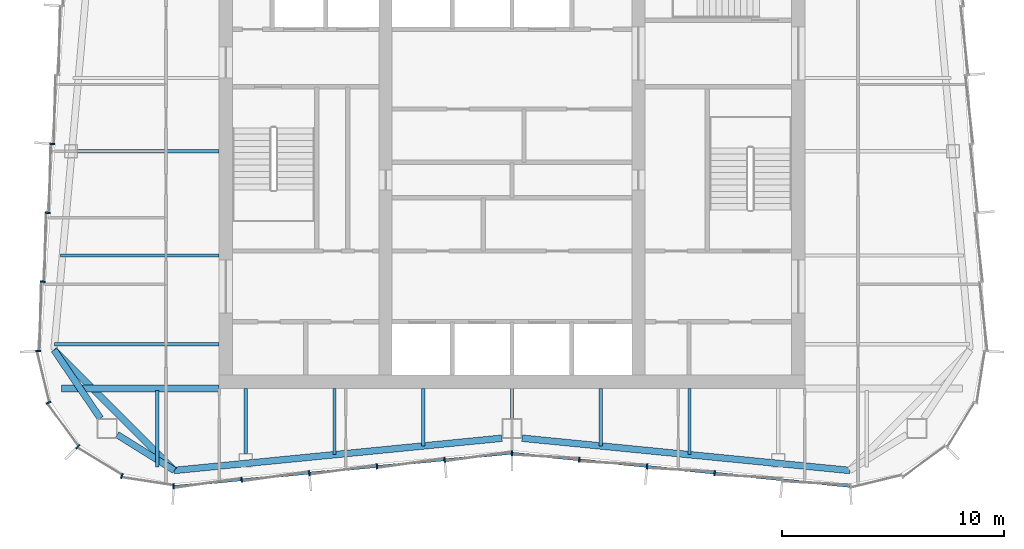
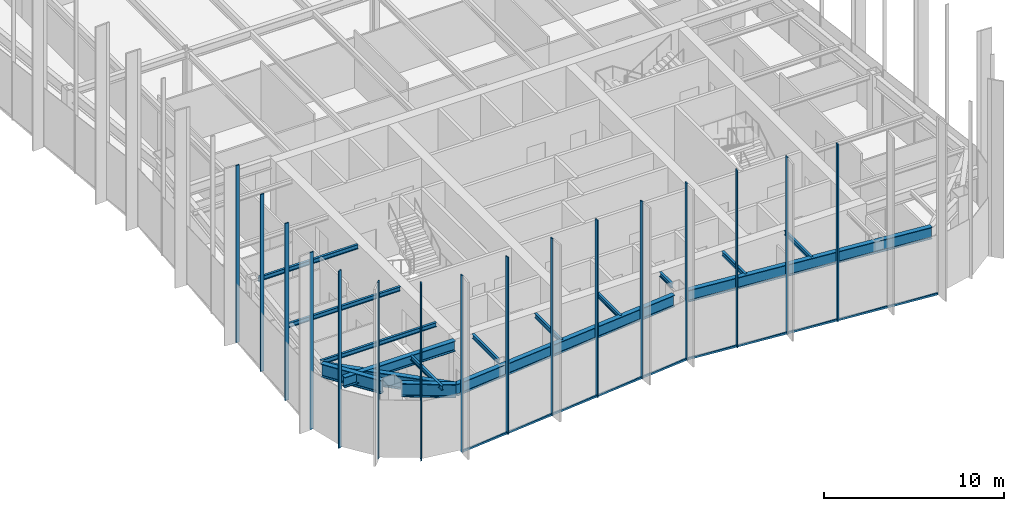
# One storey, part 3 of 13: 18 members, 16 beams, 3 elements without a shape of their own.
"""IFC4 building model written with IfcOpenShell, lengths in metres."""

import ifcopenshell
import ifcopenshell.guid

model = None  # the IFC model being written
_history = None  # IfcOwnerHistory: only IFC2X3 demands one
_inside = {}  # id of a spatial element -> (the spatial element, [elements in it])
_under = {}  # id of a project, library or spatial element -> (it, [spatial elements below it])
_declared = {}  # id of a project -> (the project, [libraries it declares])
_typed = {}  # id of a type object -> (the type object, [elements of that type])
_made_of = {}  # id of a material, layer set ... -> (it, [elements and type objects made of it])


def new_model(schema):
    """Start an empty IFC model of exactly this schema.

    Asked for "IFC4X3", IfcOpenShell would pick the latest addendum, in which some entities
    have other attributes; the version numbers below select the first issue.
    IFC2X3 requires an IfcOwnerHistory on every rooted entity: one is made here for all.
    """
    global model, _history
    if schema == "IFC4X3":
        model = ifcopenshell.file(schema_version=(4, 3, 0, 0))
    else:
        model = ifcopenshell.file(schema=schema)
    _inside.clear()
    _under.clear()
    _declared.clear()
    _typed.clear()
    _made_of.clear()
    _history = None
    if model.schema == "IFC2X3":
        org = make("IfcOrganization", Name="unknown")
        user = make(
            "IfcPersonAndOrganization",
            ThePerson=make("IfcPerson", FamilyName="unknown"),
            TheOrganization=org,
        )
        app = make(
            "IfcApplication",
            ApplicationDeveloper=org,
            Version="unknown",
            ApplicationFullName="unknown",
            ApplicationIdentifier="unknown",
        )
        _history = make(
            "IfcOwnerHistory",
            OwningUser=user,
            OwningApplication=app,
            ChangeAction="ADDED",
            CreationDate=0,
        )
    return model


def make(cls, **values):
    """One entity of the class cls with the attributes given. An attribute that is None is left unset."""
    return model.create_entity(
        cls, **{name: value for name, value in values.items() if value is not None}
    )


def rooted(cls, **values):
    """An entity with a GlobalId (a new one), such as an element, a storey or a relation."""
    return make(cls, GlobalId=ifcopenshell.guid.new(), OwnerHistory=_history, **values)


def si_unit(unit_type, name, prefix=None):
    """IfcSIUnit, for example si_unit("LENGTHUNIT", "METRE", prefix="MILLI")."""
    return make("IfcSIUnit", UnitType=unit_type, Prefix=prefix, Name=name)


def assignment(units):
    """IfcUnitAssignment: the units of a project."""
    return None if units is None else make("IfcUnitAssignment", Units=units)


def point(xyz):
    """IfcCartesianPoint."""
    return None if xyz is None else make("IfcCartesianPoint", Coordinates=xyz)


def direction(xyz):
    """IfcDirection."""
    return None if xyz is None else make("IfcDirection", DirectionRatios=xyz)


def frame(location, z_axis=None, x_axis=None):
    """IfcAxis2Placement3D, a coordinate frame: its origin and axes. An axis left out is left unset."""
    return make(
        "IfcAxis2Placement3D",
        Location=point(location),
        Axis=direction(z_axis),
        RefDirection=direction(x_axis),
    )


def frame_2d(location, x_axis=None):
    """IfcAxis2Placement2D, a coordinate frame in the plane: its origin and x axis."""
    return make(
        "IfcAxis2Placement2D", Location=point(location), RefDirection=direction(x_axis)
    )


def origin():
    """The frame at (0, 0, 0) with its axes left unset."""
    return frame((0.0, 0.0, 0.0))


def origin_2d():
    """The frame at (0, 0) in the plane with its x axis left unset."""
    return frame_2d((0.0, 0.0))


def place(relative_to, where):
    """IfcLocalPlacement: puts the frame where relative to a parent placement (None: the world)."""
    return make(
        "IfcLocalPlacement", PlacementRelTo=relative_to, RelativePlacement=where
    )


def context(
    kind, dimensions, precision=None, world=None, true_north=None, identifier=None
):
    """IfcGeometricRepresentationContext, for example the 3D "Model" context."""
    return make(
        "IfcGeometricRepresentationContext",
        ContextIdentifier=identifier,
        ContextType=kind,
        CoordinateSpaceDimension=dimensions,
        Precision=precision,
        WorldCoordinateSystem=world,
        TrueNorth=true_north,
    )


def subcontext(parent, identifier, kind, view, scale=None):
    """IfcGeometricRepresentationSubContext, for example "Body" below "Model"."""
    return make(
        "IfcGeometricRepresentationSubContext",
        ContextIdentifier=identifier,
        ContextType=kind,
        ParentContext=parent,
        TargetScale=scale,
        TargetView=view,
    )


def project(units=None, contexts=None):
    """IfcProject with its units and contexts."""
    return rooted(
        "IfcProject",
        Name="project",
        RepresentationContexts=contexts,
        UnitsInContext=assignment(units),
    )


def spatial(cls, under=None, at=None, **own):
    """A site, building, storey or space (cls), placed at a placement, below another one or the project."""
    s = rooted(cls, ObjectPlacement=at, **own)
    if under is not None:
        _under.setdefault(under.id(), (under, []))[1].append(s)
    return s


def profile(cls, at=None, kind="AREA", **sizes):
    """A parametric profile (cls). Its sizes go by their IFC names, for example OverallWidth=200.0."""
    return make(cls, ProfileType=kind, Position=at, **sizes)


def rectangle(**sizes):
    """IfcRectangleProfileDef."""
    return profile("IfcRectangleProfileDef", **sizes)


def i_section(**sizes):
    """IfcIShapeProfileDef."""
    return profile("IfcIShapeProfileDef", **sizes)


def extrude(swept, where, along, depth):
    """IfcExtrudedAreaSolid: the profile swept, set in the frame where, extruded along a direction by depth."""
    return make(
        "IfcExtrudedAreaSolid",
        SweptArea=swept,
        Position=where,
        ExtrudedDirection=direction(along),
        Depth=depth,
    )


def shape(context_of_items, identifier, shape_type, items):
    """IfcShapeRepresentation: the items that make up one representation, for example the "Body"."""
    return make(
        "IfcShapeRepresentation",
        ContextOfItems=context_of_items,
        RepresentationIdentifier=identifier,
        RepresentationType=shape_type,
        Items=items,
    )


def material(Name=None, Category=None):
    """IfcMaterial."""
    return make("IfcMaterial", Name=Name, Category=Category)


def material_profile(
    of_material, cross_section, Name=None, Category=None, Priority=None
):
    """IfcMaterialProfile: a cross section and its material."""
    return make(
        "IfcMaterialProfile",
        Name=Name,
        Material=of_material,
        Profile=cross_section,
        Priority=Priority,
        Category=Category,
    )


def profile_set(profiles, Name=None, composite=None):
    """IfcMaterialProfileSet."""
    return make(
        "IfcMaterialProfileSet",
        Name=Name,
        MaterialProfiles=profiles,
        CompositeProfile=composite,
    )


def made_of(thing, what):
    """Note that an element or type object is made of a material, layer set ...; save() writes the relation."""
    if what is not None:
        _made_of.setdefault(what.id(), (what, []))[1].append(thing)
    return thing


def type_object(cls, material=None, **own):
    """A type object (cls), such as IfcWallType, which elements share."""
    return made_of(rooted(cls, **own), material)


def element(
    cls,
    number,
    at=None,
    inside=None,
    cuts=None,
    type_object=None,
    material=None,
    context=None,
    identifier="Body",
    shape_type=None,
    held_by="IfcProductDefinitionShape",
    body=None,
    shapes=None,
    **own,
):
    """One element of the class cls, such as IfcWall. Its Tag is "e" and its number.

    at: its placement. inside: the storey or other place that contains it. cuts: it is an
    opening in that element (IfcRelVoidsElement). A single representation is given by context,
    identifier, shape_type and body (its items); several are given by shapes. held_by: the class
    of the entity that holds the representations. save() writes the other relations.
    """
    e = rooted(cls, Tag="e%d" % number, ObjectPlacement=at, **own)
    if body is not None:
        shapes = [shape(context, identifier, shape_type, body)]
    if shapes is not None:
        e.Representation = make(held_by, Representations=shapes)
    if inside is not None:
        _inside.setdefault(inside.id(), (inside, []))[1].append(e)
    if cuts is not None:
        rooted(
            "IfcRelVoidsElement", RelatingBuildingElement=cuts, RelatedOpeningElement=e
        )
    if type_object is not None:
        _typed.setdefault(type_object.id(), (type_object, []))[1].append(e)
    return made_of(e, material)


def aggregate(whole, parts):
    """IfcRelAggregates: a whole, such as a stair, and the parts it consists of."""
    return rooted("IfcRelAggregates", RelatingObject=whole, RelatedObjects=parts)


def save(model, path):
    """Write the relations noted so far, then the file.

    IfcRelAggregates (storeys below a building ...), IfcRelContainedInSpatialStructure (elements
    in a storey), IfcRelDefinesByType, IfcRelAssociatesMaterial and IfcRelDeclares: one each for
    every whole, place, type object, material and project.
    """
    for whole, parts in _under.values():
        aggregate(whole, parts)
    for where, things in _inside.values():
        rooted(
            "IfcRelContainedInSpatialStructure",
            RelatedElements=things,
            RelatingStructure=where,
        )
    for kind, things in _typed.values():
        rooted("IfcRelDefinesByType", RelatedObjects=things, RelatingType=kind)
    for what, things in _made_of.values():
        rooted("IfcRelAssociatesMaterial", RelatedObjects=things, RelatingMaterial=what)
    for by, libraries in _declared.values():
        rooted("IfcRelDeclares", RelatingContext=by, RelatedDefinitions=libraries)
    model.write(path)


model = new_model("IFC4")

# Units and contexts
model_context = context("Model", 3, precision=1e-05, world=origin(), true_north=direction((0.0, 1.0)))
body_context = subcontext(model_context, "Body", "Model", "MODEL_VIEW")
ifc_project = project(units=[si_unit("LENGTHUNIT", "METRE"), si_unit("AREAUNIT", "SQUARE_METRE"), si_unit("VOLUMEUNIT", "CUBIC_METRE"), si_unit("PLANEANGLEUNIT", "RADIAN"), si_unit("MASSUNIT", "GRAM", prefix="KILO")], contexts=[model_context])

# Site, building, storey
site_placement = place(None, origin())
site = spatial("IfcSite", under=ifc_project, at=site_placement, CompositionType="ELEMENT")
building_placement = place(site_placement, origin())
building = spatial("IfcBuilding", under=site, at=building_placement, Name="Verdant Reach Tower", CompositionType="ELEMENT")
storey_placement = place(building_placement, frame((0.0, 0.0, 318.0)))
storey = spatial("IfcBuildingStorey", under=building, at=storey_placement, Name="L73", CompositionType="ELEMENT", Elevation=318.0)

# Curtain wall, members
ifc_material_1 = material(Name="Anodised aluminium", Category="aluminium")
curtain_wall_type = type_object("IfcCurtainWallType", Name="EN-CW SYSTEM Z5", PredefinedType="NOTDEFINED", material=ifc_material_1)
curtain_wall_1_placement = place(storey_placement, origin())
curtain_wall_1 = element("IfcCurtainWall", 1, at=curtain_wall_1_placement, inside=storey, type_object=curtain_wall_type, Name="Curtain wall west, L73", PredefinedType="NOTDEFINED")
ifc_material_profile_1 = material_profile(ifc_material_1, rectangle(XDim=0.22998046875, YDim=0.070068359375, at=origin_2d()), Name="Mullion 70x230")
ifc_profile_set_1 = profile_set([ifc_material_profile_1], Name="Anodised aluminium")
member_type_1 = type_object("IfcMemberType", Name="EN-MULLION Z5", PredefinedType="MULLION", material=ifc_profile_set_1)
member_1_placement = place(storey_placement, frame((-20.721923828125, 28.829345703125, -0.35009765625), z_axis=(0.0, 0.0, 1.0), x_axis=(-0.997630328423, 0.068802091615, 0.0)))
member_1 = element("IfcMember", 2, at=member_1_placement, type_object=member_type_1, Name="Mullion west face part 2 5, L73", PredefinedType="MULLION", context=body_context, shape_type="SweptSolid", body=[
    extrude(rectangle(XDim=0.22998046875, YDim=0.070068359375, at=origin_2d()), origin(), (0.0, 0.0, 1.0), 12.0),
])
member_2_placement = place(storey_placement, frame((-20.93603515625, 25.72216796875, -0.35009765625), z_axis=(0.0, 0.0, 1.0), x_axis=(-0.997630328423, 0.068802091615, 0.0)))
member_2 = element("IfcMember", 3, at=member_2_placement, type_object=member_type_1, Name="Mullion west face part 2 6, L73", PredefinedType="MULLION", context=body_context, shape_type="SweptSolid", body=[
    extrude(rectangle(XDim=0.22998046875, YDim=0.070068359375, at=origin_2d()), origin(), (0.0, 0.0, 1.0), 12.0),
])
member_3_placement = place(storey_placement, frame((-21.150390625, 22.614990234375, -0.35009765625), z_axis=(0.0, 0.0, 1.0), x_axis=(-0.997630328423, 0.068802091615, 0.0)))
member_3 = element("IfcMember", 4, at=member_3_placement, type_object=member_type_1, Name="Mullion west face part 2 7, L73", PredefinedType="MULLION", context=body_context, shape_type="SweptSolid", body=[
    extrude(rectangle(XDim=0.22998046875, YDim=0.070068359375, at=origin_2d()), origin(), (0.0, 0.0, 1.0), 12.0),
])
aggregate(curtain_wall_1, [member_1, member_2, member_3])

curtain_wall_2_placement = place(storey_placement, origin())
curtain_wall_2 = element("IfcCurtainWall", 5, at=curtain_wall_2_placement, inside=storey, type_object=curtain_wall_type, Name="Curtain wall south-west corner, L73", PredefinedType="NOTDEFINED")
member_4_placement = place(storey_placement, frame((-21.36474609375, 19.49267578125, -0.35009765625), z_axis=(0.0, 0.0, 1.0), x_axis=(-0.997969180898, -0.063698618332, 0.0)))
member_4 = element("IfcMember", 6, at=member_4_placement, type_object=member_type_1, Name="Mullion south-west corner 1, L73", PredefinedType="MULLION", context=body_context, shape_type="SweptSolid", body=[
    extrude(rectangle(XDim=0.22998046875, YDim=0.070068359375, at=origin_2d()), origin(), (0.0, 0.0, 1.0), 12.0),
])
member_5_placement = place(storey_placement, frame((-20.899658203125, 17.159912109375, -0.35009765625), z_axis=(0.0, 0.0, 1.0), x_axis=(-0.923875215753, -0.382693853776, 0.0)))
member_5 = element("IfcMember", 7, at=member_5_placement, type_object=member_type_1, Name="Mullion south-west corner 2, L73", PredefinedType="MULLION", context=body_context, shape_type="SweptSolid", body=[
    extrude(rectangle(XDim=0.22998046875, YDim=0.070068359375, at=origin_2d()), origin(), (0.0, 0.0, 1.0), 12.0),
])
member_6_placement = place(storey_placement, frame((-19.573974609375, 15.176025390625, -0.35009765625), z_axis=(0.0, 0.0, 1.0), x_axis=(-0.707106781187, -0.707106781187, 0.0)))
member_6 = element("IfcMember", 8, at=member_6_placement, type_object=member_type_1, Name="Mullion south-west corner 3, L73", PredefinedType="MULLION", context=body_context, shape_type="SweptSolid", body=[
    extrude(rectangle(XDim=0.22998046875, YDim=0.070068359375, at=origin_2d()), origin(), (0.0, 0.0, 1.0), 12.0),
])
member_7_placement = place(storey_placement, frame((-17.590087890625, 13.850341796875, -0.35009765625), z_axis=(0.0, 0.0, 1.0), x_axis=(-0.382693853776, -0.923875215753, 0.0)))
member_7 = element("IfcMember", 9, at=member_7_placement, type_object=member_type_1, Name="Mullion south-west corner 4, L73", PredefinedType="MULLION", context=body_context, shape_type="SweptSolid", body=[
    extrude(rectangle(XDim=0.22998046875, YDim=0.070068359375, at=origin_2d()), origin(), (0.0, 0.0, 1.0), 12.0),
])
aggregate(curtain_wall_2, [member_4, member_5, member_6, member_7])

curtain_wall_3_placement = place(storey_placement, origin())
curtain_wall_3 = element("IfcCurtainWall", 10, at=curtain_wall_3_placement, inside=storey, type_object=curtain_wall_type, Name="Curtain wall south, L73", PredefinedType="NOTDEFINED")
member_8_placement = place(storey_placement, frame((-15.255615234375, 13.38525390625, -0.35009765625), z_axis=(0.0, 0.0, 1.0), x_axis=(-0.049127596288, -0.998792510626, 0.0)))
member_8 = element("IfcMember", 11, at=member_8_placement, type_object=member_type_1, Name="Mullion south face part 1 1, L73", PredefinedType="MULLION", context=body_context, shape_type="SweptSolid", body=[
    extrude(rectangle(XDim=0.22998046875, YDim=0.070068359375, at=origin_2d()), origin(), (0.0, 0.0, 1.0), 12.0),
])
member_9_placement = place(storey_placement, frame((-12.188720703125, 13.685546875, -0.35009765625), z_axis=(0.0, 0.0, 1.0), x_axis=(0.09788826992, -0.995197410875, 0.0)))
member_9 = element("IfcMember", 12, at=member_9_placement, type_object=member_type_1, Name="Mullion south face part 1 2, L73", PredefinedType="MULLION", context=body_context, shape_type="SweptSolid", body=[
    extrude(rectangle(XDim=0.22998046875, YDim=0.070068359375, at=origin_2d()), origin(), (0.0, 0.0, 1.0), 12.0),
])
member_10_placement = place(storey_placement, frame((-9.138671875, 13.985595703125, -0.35009765625), z_axis=(0.0, 0.0, 1.0), x_axis=(0.09788826992, -0.995197410875, 0.0)))
member_10 = element("IfcMember", 13, at=member_10_placement, type_object=member_type_1, Name="Mullion south face part 1 3, L73", PredefinedType="MULLION", context=body_context, shape_type="SweptSolid", body=[
    extrude(rectangle(XDim=0.22998046875, YDim=0.070068359375, at=origin_2d()), origin(), (0.0, 0.0, 1.0), 12.0),
])
member_11_placement = place(storey_placement, frame((-6.088623046875, 14.28564453125, -0.35009765625), z_axis=(0.0, 0.0, 1.0), x_axis=(0.09788826992, -0.995197410875, 0.0)))
member_11 = element("IfcMember", 14, at=member_11_placement, type_object=member_type_1, Name="Mullion south face part 1 4, L73", PredefinedType="MULLION", context=body_context, shape_type="SweptSolid", body=[
    extrude(rectangle(XDim=0.22998046875, YDim=0.070068359375, at=origin_2d()), origin(), (0.0, 0.0, 1.0), 12.0),
])
member_12_placement = place(storey_placement, frame((-3.038818359375, 14.58544921875, -0.35009765625), z_axis=(0.0, 0.0, 1.0), x_axis=(0.09788826992, -0.995197410875, 0.0)))
member_12 = element("IfcMember", 15, at=member_12_placement, type_object=member_type_1, Name="Mullion south face part 1 5, L73", PredefinedType="MULLION", context=body_context, shape_type="SweptSolid", body=[
    extrude(rectangle(XDim=0.22998046875, YDim=0.070068359375, at=origin_2d()), origin(), (0.0, 0.0, 1.0), 12.0),
])
member_13_placement = place(storey_placement, frame((0.0, 14.885009765625, -0.35009765625), z_axis=(0.0, 0.0, 1.0), x_axis=(0.0, -1.0, 0.0)))
member_13 = element("IfcMember", 16, at=member_13_placement, type_object=member_type_1, Name="Mullion south face part 2 1, L73", PredefinedType="MULLION", context=body_context, shape_type="SweptSolid", body=[
    extrude(rectangle(XDim=0.22998046875, YDim=0.070068359375, at=origin_2d()), origin(), (0.0, 0.0, 1.0), 12.0),
])
member_14_placement = place(storey_placement, frame((3.038818359375, 14.58544921875, -0.35009765625), z_axis=(0.0, 0.0, 1.0), x_axis=(-0.09788826992, -0.995197410875, 0.0)))
member_14 = element("IfcMember", 17, at=member_14_placement, type_object=member_type_1, Name="Mullion south face part 2 2, L73", PredefinedType="MULLION", context=body_context, shape_type="SweptSolid", body=[
    extrude(rectangle(XDim=0.22998046875, YDim=0.070068359375, at=origin_2d()), origin(), (0.0, 0.0, 1.0), 12.0),
])
member_15_placement = place(storey_placement, frame((6.088623046875, 14.28564453125, -0.35009765625), z_axis=(0.0, 0.0, 1.0), x_axis=(-0.09788826992, -0.995197410875, 0.0)))
member_15 = element("IfcMember", 18, at=member_15_placement, type_object=member_type_1, Name="Mullion south face part 2 3, L73", PredefinedType="MULLION", context=body_context, shape_type="SweptSolid", body=[
    extrude(rectangle(XDim=0.22998046875, YDim=0.070068359375, at=origin_2d()), origin(), (0.0, 0.0, 1.0), 12.0),
])
member_16_placement = place(storey_placement, frame((9.138671875, 13.985595703125, -0.35009765625), z_axis=(0.0, 0.0, 1.0), x_axis=(-0.09788826992, -0.995197410875, 0.0)))
member_16 = element("IfcMember", 19, at=member_16_placement, type_object=member_type_1, Name="Mullion south face part 2 4, L73", PredefinedType="MULLION", context=body_context, shape_type="SweptSolid", body=[
    extrude(rectangle(XDim=0.22998046875, YDim=0.070068359375, at=origin_2d()), origin(), (0.0, 0.0, 1.0), 12.0),
])
ifc_material_profile_2 = material_profile(ifc_material_1, rectangle(XDim=0.10009765625, YDim=0.1298828125, at=origin_2d()), Name="Transom 130x100")
ifc_profile_set_2 = profile_set([ifc_material_profile_2], Name="Anodised aluminium")
member_type_2 = type_object("IfcMemberType", Name="EN-TRANSOM Z5", PredefinedType="USERDEFINED", material=ifc_profile_set_2)
member_17_placement = place(storey_placement, frame((-15.220703125, 13.388671875, -0.284912109375), z_axis=(0.99520229006, 0.097838652171, 0.0), x_axis=(-0.097838652171, 0.99520229006, 0.0)))
member_17 = element("IfcMember", 20, at=member_17_placement, type_object=member_type_2, Name="Transom south face part 1 1.1, L73", ObjectType="TRANSOM", PredefinedType="USERDEFINED", context=body_context, shape_type="SweptSolid", body=[
    extrude(rectangle(XDim=0.10009765625, YDim=0.1298828125, at=origin_2d()), origin(), (0.0, 0.0, 1.0), 15.259033203125),
])
member_18_placement = place(storey_placement, frame((0.034912109375, 14.881591796875, -0.284912109375), z_axis=(0.99520229006, -0.097838652171, 0.0), x_axis=(0.097838652171, 0.99520229006, 0.0)))
member_18 = element("IfcMember", 21, at=member_18_placement, type_object=member_type_2, Name="Transom south face part 2 1.1, L73", ObjectType="TRANSOM", PredefinedType="USERDEFINED", context=body_context, shape_type="SweptSolid", body=[
    extrude(rectangle(XDim=0.10009765625, YDim=0.1298828125, at=origin_2d()), origin(), (0.0, 0.0, 1.0), 15.259033203125),
])
aggregate(curtain_wall_3, [member_8, member_9, member_10, member_11, member_12, member_17, member_13, member_14, member_15, member_16, member_18])

# Beams
ifc_material_2 = material(Name="Steel S355", Category="steel")
ifc_material_profile_3 = material_profile(ifc_material_2, i_section(OverallWidth=0.300048828125, OverallDepth=0.699951171875, WebThickness=0.01708984375, FlangeThickness=0.031982421875, FilletRadius=0.027099609375, at=origin_2d()), Name="HEB 700")
ifc_profile_set_3 = profile_set([ifc_material_profile_3], Name="Steel S355")
beam_type_1 = type_object("IfcBeamType", Name="ST-BEAM-HEB700", PredefinedType="BEAM", material=ifc_profile_set_3)
beam_1_placement = place(storey_placement, frame((-13.199951171875, 17.800048828125, 3.52001953125), z_axis=(-1.0, 0.0, 0.0), x_axis=(0.0, -1.0, 0.0)))
element("IfcBeam", 22, at=beam_1_placement, inside=storey, type_object=beam_type_1, Name="Trimmer beam, L73", PredefinedType="BEAM", context=body_context, shape_type="SweptSolid", body=[
    extrude(i_section(OverallWidth=0.300048828125, OverallDepth=0.699951171875, WebThickness=0.01708984375, FlangeThickness=0.031982421875, FilletRadius=0.027099609375, at=origin_2d()), origin(), (0.0, 0.0, 1.0), 7.10009765625),
])
ifc_material_profile_4 = material_profile(ifc_material_2, i_section(OverallWidth=0.302001953125, OverallDepth=0.909912109375, WebThickness=0.02099609375, FlangeThickness=0.0400390625, FilletRadius=0.030029296875, at=origin_2d()), Name="HEM 900")
ifc_profile_set_4 = profile_set([ifc_material_profile_4], Name="Steel S355")
beam_type_2 = type_object("IfcBeamType", Name="ST-BEAM-HEM900", PredefinedType="BEAM", material=ifc_profile_set_4)
beam_2_placement = place(storey_placement, frame((-17.800048828125, 15.71875, 3.4150390625), z_axis=(0.847903624467, -0.530150397166, 0.0), x_axis=(0.530150397166, 0.847903624467, 0.0)))
element("IfcBeam", 23, at=beam_2_placement, inside=storey, type_object=beam_type_2, Name="Column stub beam, L73", PredefinedType="BEAM", context=body_context, shape_type="SweptSolid", body=[
    extrude(i_section(OverallWidth=0.302001953125, OverallDepth=0.909912109375, WebThickness=0.02099609375, FlangeThickness=0.0400390625, FilletRadius=0.030029296875, at=origin_2d()), origin(), (0.0, 0.0, 1.0), 3.042724609375),
])
beam_3_placement = place(storey_placement, frame((-18.5546875, 16.449951171875, 3.4150390625), z_axis=(-0.560667226688, 0.828041219335, 0.0), x_axis=(-0.828041219335, -0.560667226688, 0.0)))
element("IfcBeam", 24, at=beam_3_placement, inside=storey, type_object=beam_type_2, Name="Column stub beam, L73", PredefinedType="BEAM", context=body_context, shape_type="SweptSolid", body=[
    extrude(i_section(OverallWidth=0.302001953125, OverallDepth=0.909912109375, WebThickness=0.02099609375, FlangeThickness=0.0400390625, FilletRadius=0.030029296875, at=origin_2d()), origin(), (0.0, 0.0, 1.0), 3.72998046875),
])
ifc_material_profile_5 = material_profile(ifc_material_2, i_section(OverallWidth=0.14990234375, OverallDepth=0.300048828125, WebThickness=0.007080078125, FlangeThickness=0.0107421875, FilletRadius=0.014892578125, at=origin_2d()), Name="IPE 300")
ifc_profile_set_5 = profile_set([ifc_material_profile_5], Name="Steel S355")
beam_type_3 = type_object("IfcBeamType", Name="ST-JOIST-IPE300", PredefinedType="JOIST", material=ifc_profile_set_5)
beam_4_placement = place(storey_placement, frame((-16.0, 17.699951171875, 3.719970703125), z_axis=(0.0, -1.0, 0.0), x_axis=(1.0, 0.0, 0.0)))
element("IfcBeam", 25, at=beam_4_placement, inside=storey, type_object=beam_type_3, Name="Floor joist, L73", PredefinedType="JOIST", context=body_context, shape_type="SweptSolid", body=[
    extrude(i_section(OverallWidth=0.14990234375, OverallDepth=0.300048828125, WebThickness=0.007080078125, FlangeThickness=0.0107421875, FilletRadius=0.014892578125, at=origin_2d()), origin(), (0.0, 0.0, 1.0), 3.43896484375),
])
beam_5_placement = place(storey_placement, frame((-12.0, 17.800048828125, 3.719970703125), z_axis=(0.0, -1.0, 0.0), x_axis=(1.0, 0.0, 0.0)))
element("IfcBeam", 26, at=beam_5_placement, inside=storey, type_object=beam_type_3, Name="Floor joist, L73", PredefinedType="JOIST", context=body_context, shape_type="SweptSolid", body=[
    extrude(i_section(OverallWidth=0.14990234375, OverallDepth=0.300048828125, WebThickness=0.007080078125, FlangeThickness=0.0107421875, FilletRadius=0.014892578125, at=origin_2d()), origin(), (0.0, 0.0, 1.0), 2.930419921875),
])
beam_6_placement = place(storey_placement, frame((-8.0, 17.800048828125, 3.719970703125), z_axis=(0.0, -1.0, 0.0), x_axis=(1.0, 0.0, 0.0)))
element("IfcBeam", 27, at=beam_6_placement, inside=storey, type_object=beam_type_3, Name="Floor joist, L73", PredefinedType="JOIST", context=body_context, shape_type="SweptSolid", body=[
    extrude(i_section(OverallWidth=0.14990234375, OverallDepth=0.300048828125, WebThickness=0.007080078125, FlangeThickness=0.0107421875, FilletRadius=0.014892578125, at=origin_2d()), origin(), (0.0, 0.0, 1.0), 2.984130859375),
])
beam_7_placement = place(storey_placement, frame((-4.0, 17.800048828125, 3.719970703125), z_axis=(0.0, -1.0, 0.0), x_axis=(1.0, 0.0, 0.0)))
element("IfcBeam", 28, at=beam_7_placement, inside=storey, type_object=beam_type_3, Name="Floor joist, L73", PredefinedType="JOIST", context=body_context, shape_type="SweptSolid", body=[
    extrude(i_section(OverallWidth=0.14990234375, OverallDepth=0.300048828125, WebThickness=0.007080078125, FlangeThickness=0.0107421875, FilletRadius=0.014892578125, at=origin_2d()), origin(), (0.0, 0.0, 1.0), 2.590576171875),
])
beam_8_placement = place(storey_placement, frame((0.0, 17.800048828125, 3.719970703125), z_axis=(0.0, -1.0, 0.0), x_axis=(1.0, 0.0, 0.0)))
element("IfcBeam", 29, at=beam_8_placement, inside=storey, type_object=beam_type_3, Name="Floor joist, L73", PredefinedType="JOIST", context=body_context, shape_type="SweptSolid", body=[
    extrude(i_section(OverallWidth=0.14990234375, OverallDepth=0.300048828125, WebThickness=0.007080078125, FlangeThickness=0.0107421875, FilletRadius=0.014892578125, at=origin_2d()), origin(), (0.0, 0.0, 1.0), 1.35009765625),
])
beam_9_placement = place(storey_placement, frame((4.0, 17.800048828125, 3.719970703125), z_axis=(0.0, -1.0, 0.0), x_axis=(1.0, 0.0, 0.0)))
element("IfcBeam", 30, at=beam_9_placement, inside=storey, type_object=beam_type_3, Name="Floor joist, L73", PredefinedType="JOIST", context=body_context, shape_type="SweptSolid", body=[
    extrude(i_section(OverallWidth=0.14990234375, OverallDepth=0.300048828125, WebThickness=0.007080078125, FlangeThickness=0.0107421875, FilletRadius=0.014892578125, at=origin_2d()), origin(), (0.0, 0.0, 1.0), 2.590576171875),
])
beam_10_placement = place(storey_placement, frame((8.0, 17.800048828125, 3.719970703125), z_axis=(0.0, -1.0, 0.0), x_axis=(1.0, 0.0, 0.0)))
element("IfcBeam", 31, at=beam_10_placement, inside=storey, type_object=beam_type_3, Name="Floor joist, L73", PredefinedType="JOIST", context=body_context, shape_type="SweptSolid", body=[
    extrude(i_section(OverallWidth=0.14990234375, OverallDepth=0.300048828125, WebThickness=0.007080078125, FlangeThickness=0.0107421875, FilletRadius=0.014892578125, at=origin_2d()), origin(), (0.0, 0.0, 1.0), 2.984130859375),
])
beam_11_placement = place(storey_placement, frame((-13.199951171875, 19.800048828125, 3.719970703125), z_axis=(-1.0, 0.0, 0.0), x_axis=(0.0, -1.0, 0.0)))
element("IfcBeam", 32, at=beam_11_placement, inside=storey, type_object=beam_type_3, Name="Floor joist, L73", PredefinedType="JOIST", context=body_context, shape_type="SweptSolid", body=[
    extrude(i_section(OverallWidth=0.14990234375, OverallDepth=0.300048828125, WebThickness=0.007080078125, FlangeThickness=0.0107421875, FilletRadius=0.014892578125, at=origin_2d()), origin(), (0.0, 0.0, 1.0), 7.427978515625),
])
beam_12_placement = place(storey_placement, frame((-13.199951171875, 23.800048828125, 3.719970703125), z_axis=(-1.0, 0.0, 0.0), x_axis=(0.0, -1.0, 0.0)))
element("IfcBeam", 33, at=beam_12_placement, inside=storey, type_object=beam_type_3, Name="Floor joist, L73", PredefinedType="JOIST", context=body_context, shape_type="SweptSolid", body=[
    extrude(i_section(OverallWidth=0.14990234375, OverallDepth=0.300048828125, WebThickness=0.007080078125, FlangeThickness=0.0107421875, FilletRadius=0.014892578125, at=origin_2d()), origin(), (0.0, 0.0, 1.0), 7.152099609375),
])
beam_13_placement = place(storey_placement, frame((-13.199951171875, 28.5, 3.719970703125), z_axis=(-1.0, 0.0, 0.0), x_axis=(0.0, -1.0, 0.0)))
element("IfcBeam", 34, at=beam_13_placement, inside=storey, type_object=beam_type_3, Name="Floor joist, L73", PredefinedType="JOIST", context=body_context, shape_type="SweptSolid", body=[
    extrude(i_section(OverallWidth=0.14990234375, OverallDepth=0.300048828125, WebThickness=0.007080078125, FlangeThickness=0.0107421875, FilletRadius=0.014892578125, at=origin_2d()), origin(), (0.0, 0.0, 1.0), 6.37939453125),
])
ifc_material_profile_6 = material_profile(ifc_material_2, i_section(OverallWidth=0.300048828125, OverallDepth=0.800048828125, WebThickness=0.017578125, FlangeThickness=0.032958984375, FilletRadius=0.030029296875, at=origin_2d()), Name="HEB 800")
ifc_profile_set_6 = profile_set([ifc_material_profile_6], Name="Steel S355")
beam_type_4 = type_object("IfcBeamType", Name="ST-SPANDREL-HEB800", PredefinedType="SPANDREL", material=ifc_profile_set_6)
for number, where, z_axis, x_axis, name in (
    (35, (15.22021484375, 14.105712890625, 3.469970703125), (-0.995196964263, 0.097892810366, 0.0), (-0.097892810366, -0.995196964263, 0.0), "Edge beam, L73"),
    (36, (-0.449951171875, 15.55859375, 3.469970703125), (-0.995196964263, -0.097892810366, 0.0), (0.097892810366, -0.995196964263, 0.0), "Edge beam, L73"),
):
    element("IfcBeam", number, at=place(storey_placement, frame(where, z_axis=z_axis, x_axis=x_axis)), inside=storey, type_object=beam_type_4, Name=name, PredefinedType="SPANDREL", context=body_context, shape_type="SweptSolid", body=[
        extrude(i_section(OverallWidth=0.300048828125, OverallDepth=0.800048828125, WebThickness=0.017578125, FlangeThickness=0.032958984375, FilletRadius=0.030029296875, at=origin_2d()), origin(), (0.0, 0.0, 1.0), 14.841552734375),
    ])
ifc_material_profile_7 = material_profile(ifc_material_2, i_section(OverallWidth=0.302001953125, OverallDepth=0.909912109375, WebThickness=0.02099609375, FlangeThickness=0.0400390625, FilletRadius=0.030029296875, at=origin_2d()), Name="HEM 900")
ifc_profile_set_7 = profile_set([ifc_material_profile_7], Name="Steel S355")
beam_type_5 = type_object("IfcBeamType", Name="ST-SPANDREL-HEM900", PredefinedType="SPANDREL", material=ifc_profile_set_7)
beam_14_placement = place(storey_placement, frame((-15.22021484375, 14.105712890625, 3.4150390625), z_axis=(-0.706645581521, 0.707567680237, 0.0), x_axis=(-0.707567680237, -0.706645581521, 0.0)))
element("IfcBeam", 37, at=beam_14_placement, inside=storey, type_object=beam_type_5, Name="Edge beam, L73", PredefinedType="SPANDREL", context=body_context, shape_type="SweptSolid", body=[
    extrude(i_section(OverallWidth=0.302001953125, OverallDepth=0.909912109375, WebThickness=0.02099609375, FlangeThickness=0.0400390625, FilletRadius=0.030029296875, at=origin_2d()), origin(), (0.0, 0.0, 1.0), 7.67822265625),
])

save(model, "model.ifc")
